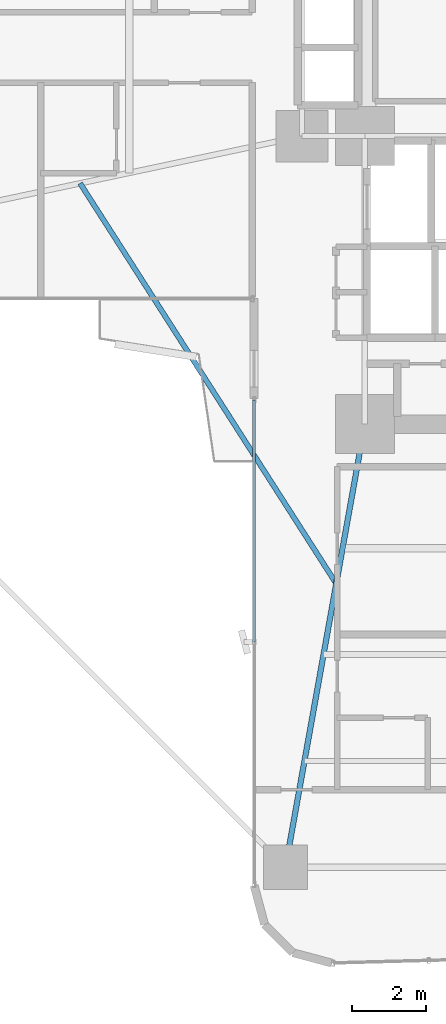
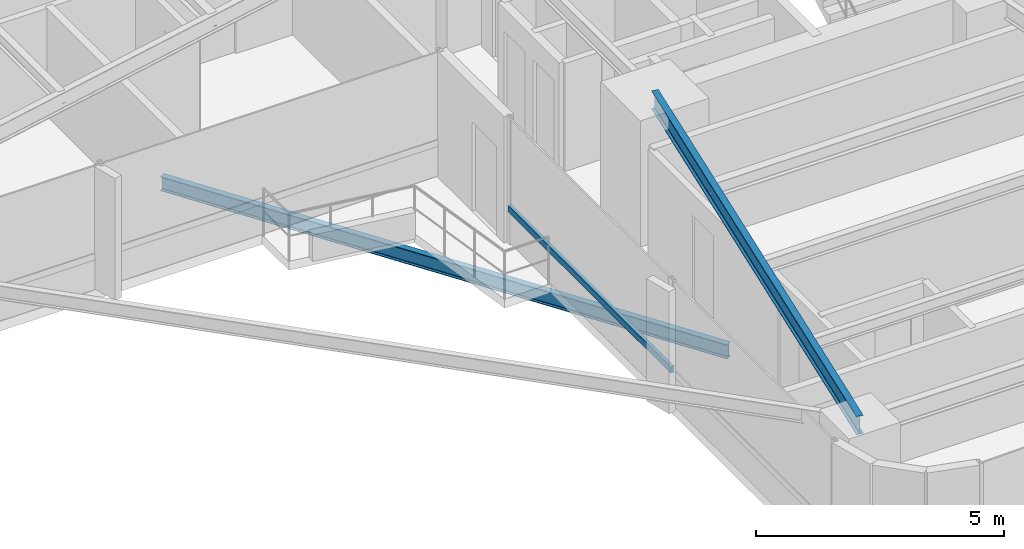
# One storey, part 3 of 25: 2 beams, 1 member, 1 element without a shape of its own.
"""IFC4 building model written with IfcOpenShell, lengths in metres."""

from ifc_helpers import new_model, si_unit, direction, frame, origin, origin_2d, place, context, subcontext, project, spatial, hollow_rectangle, i_section, extrude, source, transform, mapped, material, material_profile, profile_set, type_object, element, aggregate, save


model = new_model("IFC4")

# Units and contexts
model_context = context("Model", 3, precision=1e-05, world=origin(), true_north=direction((0.0, 1.0)))
body_context = subcontext(model_context, "Body", "Model", "MODEL_VIEW")
ifc_project = project(units=[si_unit("LENGTHUNIT", "METRE"), si_unit("AREAUNIT", "SQUARE_METRE"), si_unit("VOLUMEUNIT", "CUBIC_METRE"), si_unit("PLANEANGLEUNIT", "RADIAN"), si_unit("MASSUNIT", "GRAM", prefix="KILO")], contexts=[model_context])

# Site, building, storey
site_placement = place(None, origin())
site = spatial("IfcSite", under=ifc_project, at=site_placement, CompositionType="ELEMENT")
building_placement = place(site_placement, origin())
building = spatial("IfcBuilding", under=site, at=building_placement, Name="Sahyath Konkavel Grand Hotel", CompositionType="ELEMENT")
storey_placement = place(building_placement, frame((0.0, 0.0, 57.75)))
storey = spatial("IfcBuildingStorey", under=building, at=storey_placement, Name="L15", CompositionType="ELEMENT", Elevation=57.75)

# Beam
ifc_material_1 = material(Name="Steel E350", Category="steel")
ifc_material_profile_1 = material_profile(ifc_material_1, i_section(OverallWidth=0.14990234375, OverallDepth=0.449951171875, WebThickness=0.009521484375, FlangeThickness=0.017333984375, FilletRadius=0.014892578125, at=origin_2d()), Name="ISMB 450")
ifc_profile_set_1 = profile_set([ifc_material_profile_1], Name="Steel E350")
beam_type_1 = type_object("IfcBeamType", Name="BM-ISMB450", PredefinedType="BEAM", material=ifc_profile_set_1)
shared_shape_1 = source(origin(), body_context, "Body", "SweptSolid", [
    extrude(i_section(OverallWidth=0.14990234375, OverallDepth=0.449951171875, WebThickness=0.009521484375, FlangeThickness=0.017333984375, FilletRadius=0.014892578125, at=origin_2d()), origin(), (0.0, 0.0, 1.0), 12.191162109375),
])
beam_1_placement = place(storey_placement, frame((-3.800048828125, -10.199951171875, 2.885009765625), z_axis=(-0.176350650305, -0.984327409014, 0.0), x_axis=(0.984327409014, -0.176350650305, 0.0)))
element("IfcBeam", 1, at=beam_1_placement, inside=storey, type_object=beam_type_1, Name="L15 Cruciform Radial Girder SA", PredefinedType="BEAM", context=body_context, shape_type="MappedRepresentation", body=[
    mapped(shared_shape_1, transform((0.0, 0.0, 0.0), scale=1.0)),
])

# Curtain wall, member
ifc_material_2 = material(Name="Anodised Bronze Aluminium & Low-E Glazing", Category="aluminium")
curtain_wall_type = type_object("IfcCurtainWallType", Name="CW-ZONE1", PredefinedType="NOTDEFINED", material=ifc_material_2)
curtain_wall_placement = place(storey_placement, origin())
curtain_wall = element("IfcCurtainWall", 2, at=curtain_wall_placement, inside=storey, type_object=curtain_wall_type, Name="L15 Unitised Curtain Wall F24", PredefinedType="NOTDEFINED")
ifc_material_3 = material(Name="Anodised Bronze Aluminium", Category="aluminium")
ifc_material_profile_2 = material_profile(ifc_material_3, hollow_rectangle(XDim=0.080078125, YDim=0.159912109375, WallThickness=0.006103515625, at=origin_2d()), Name="RHS 160x80x6")
ifc_profile_set_2 = profile_set([ifc_material_profile_2], Name="Anodised Bronze Aluminium")
member_type = type_object("IfcMemberType", Name="CW-TRN-160", PredefinedType="USERDEFINED", material=ifc_profile_set_2)
shared_shape_2 = source(origin(), body_context, "Body", "SweptSolid", [
    extrude(hollow_rectangle(XDim=0.080078125, YDim=0.159912109375, WallThickness=0.006103515625, at=origin_2d()), origin(), (0.0, 0.0, 1.0), 6.56005859375),
])
member_placement = place(storey_placement, frame((-6.800048828125, -9.5400390625, 0.85009765625), z_axis=(0.0, -1.0, 0.0), x_axis=(1.0, 0.0, 0.0)))
member = element("IfcMember", 3, at=member_placement, type_object=member_type, Name="L15 Curtain Wall Transom F24-0-spandrel", ObjectType="TRANSOM", PredefinedType="USERDEFINED", context=body_context, shape_type="MappedRepresentation", body=[
    mapped(shared_shape_2, transform((0.0, 0.0, 0.0), scale=1.0)),
])
aggregate(curtain_wall, [member])

# Beam
ifc_material_profile_3 = material_profile(ifc_material_1, i_section(OverallWidth=0.139892578125, OverallDepth=0.35009765625, WebThickness=0.008056640625, FlangeThickness=0.01416015625, FilletRadius=0.013916015625, at=origin_2d()), Name="ISMB 350")
ifc_profile_set_3 = profile_set([ifc_material_profile_3], Name="Steel E350")
beam_type_2 = type_object("IfcBeamType", Name="BM-BALC-CANT", PredefinedType="BEAM", material=ifc_profile_set_3)
shared_shape_3 = source(origin(), body_context, "Body", "SweptSolid", [
    extrude(i_section(OverallWidth=0.139892578125, OverallDepth=0.35009765625, WebThickness=0.008056640625, FlangeThickness=0.01416015625, FilletRadius=0.013916015625, at=origin_2d()), origin(), (0.0, 0.0, 1.0), 12.871826171875),
])
beam_2_placement = place(storey_placement, frame((-11.511962890625, -3.677978515625, -0.4150390625), z_axis=(0.539003102535, -0.842303778608, 0.0), x_axis=(0.842303778608, 0.539003102535, 0.0)))
element("IfcBeam", 4, at=beam_2_placement, inside=storey, type_object=beam_type_2, Name="L15 Balcony Cantilever Support Beam SW", PredefinedType="BEAM", context=body_context, shape_type="MappedRepresentation", body=[
    mapped(shared_shape_3, transform((0.0, 0.0, 0.0), scale=1.0)),
])

save(model, "model.ifc")
